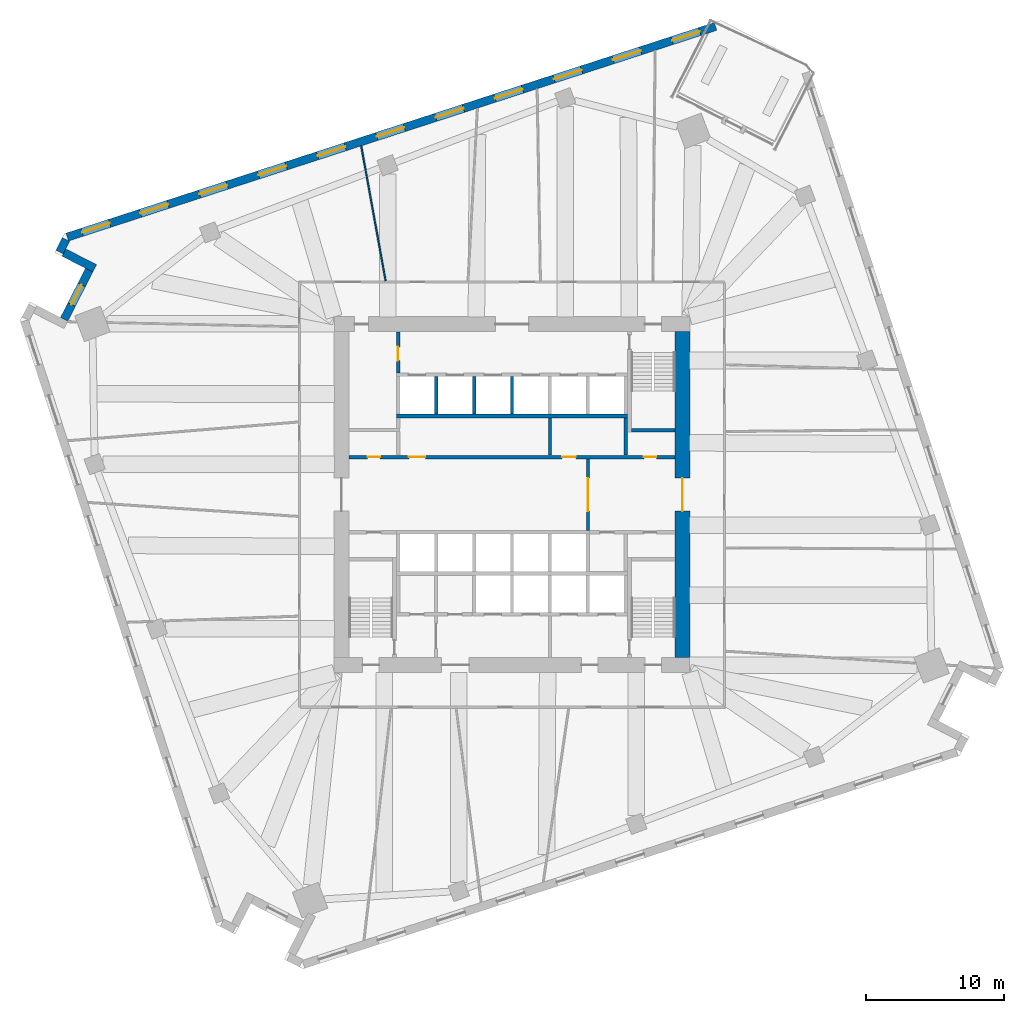
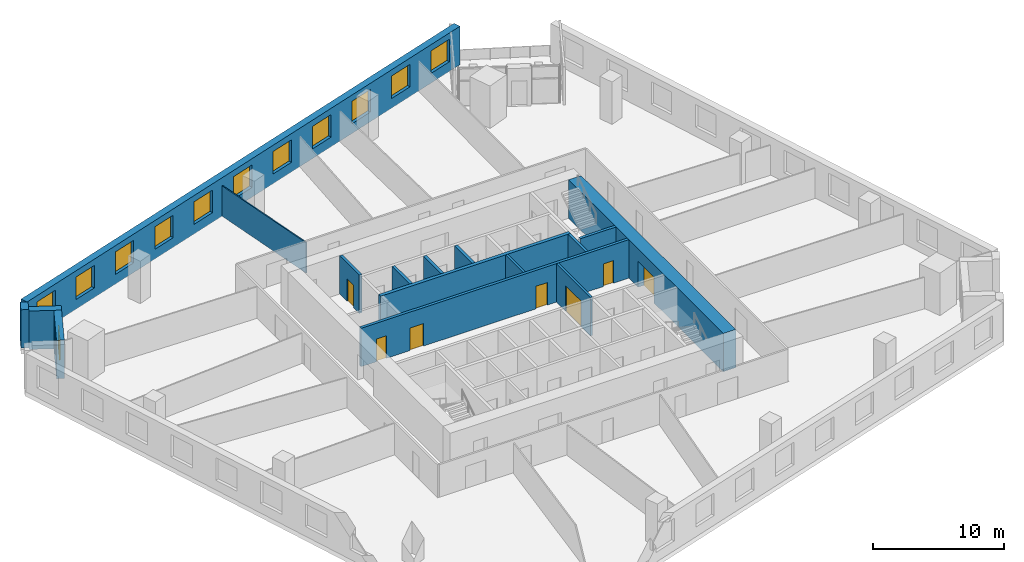
# One storey, part 8 of 12: 16 walls, 12 windows, 7 doors, 19 openings.
"""IFC4 building model written with IfcOpenShell, lengths in metres."""

from ifc_helpers import new_model, si_unit, direction, frame, frame_2d, origin, place, context, subcontext, project, spatial, rectangle, extrude, material, layer, layer_set, type_object, element, fill, save


model = new_model("IFC4")

# Units and contexts
model_context = context("Model", 3, precision=1e-05, world=origin(), true_north=direction((0.0, 1.0)))
body_context = subcontext(model_context, "Body", "Model", "MODEL_VIEW")
ifc_project = project(units=[si_unit("LENGTHUNIT", "METRE"), si_unit("AREAUNIT", "SQUARE_METRE"), si_unit("VOLUMEUNIT", "CUBIC_METRE"), si_unit("PLANEANGLEUNIT", "RADIAN"), si_unit("MASSUNIT", "GRAM", prefix="KILO")], contexts=[model_context])

# Site, building, storey
site_placement = place(None, origin())
site = spatial("IfcSite", under=ifc_project, at=site_placement, CompositionType="ELEMENT")
building_placement = place(site_placement, origin())
building = spatial("IfcBuilding", under=site, at=building_placement, Name="Dilmun Exchange Tower", CompositionType="ELEMENT")
storey_placement = place(building_placement, frame((0.0, 0.0, 98.10009765625)))
storey = spatial("IfcBuildingStorey", under=building, at=storey_placement, Name="L22", CompositionType="ELEMENT", Elevation=98.10009765625)

# Wall, opening, door
ifc_material_1 = material(Name="Concrete C40/50", Category="concrete")
ifc_layer_1 = layer(ifc_material_1, 0.199951171875)
ifc_layer_set_1 = layer_set([ifc_layer_1], Name="Concrete C40/50")
wall_type_1 = type_object("IfcWallType", Name="Core partition wall 200", PredefinedType="PARTITIONING", material=ifc_layer_set_1)
wall_1_placement = place(storey_placement, frame((5.5, -2.594970703125, 0.0), z_axis=(0.0, 0.0, 1.0), x_axis=(0.0, 1.0, 0.0)))
wall_1 = element("IfcWall", 1, at=wall_1_placement, inside=storey, type_object=wall_type_1, Name="L22 core partition wall 09", PredefinedType="PARTITIONING", context=body_context, shape_type="SweptSolid", body=[
    extrude(rectangle(XDim=5.18994140625, YDim=0.199951171875, at=frame_2d((2.594970703125, 0.0))), origin(), (0.0, 0.0, 1.0), 3.579833984375),
])
opening_1_placement = place(wall_1_placement, frame((1.39501953125, 0.0, 0.0)))
opening_1 = element("IfcOpeningElement", 2, at=opening_1_placement, cuts=wall_1, Name="Opening CD1", PredefinedType="OPENING", context=body_context, shape_type="SweptSolid", body=[
    extrude(rectangle(XDim=2.39990234375, YDim=2.39990234375, at=frame_2d((1.199951171875, 1.199951171875))), frame((0.0, 0.10986328125, 0.0), z_axis=(0.0, -1.0, 0.0), x_axis=(1.0, 0.0, 0.0)), (0.0, 0.0, 1.0), 0.219970703125),
])
ifc_material_2 = material(Name="Fire-rated steel door set", Category="steel")
door_type_1 = type_object("IfcDoorType", Name="Core lobby door 2400x2400", OperationType="DOUBLE_DOOR_DOUBLE_SWING", PredefinedType="DOOR", material=ifc_material_2)
door_1_placement = place(opening_1_placement, origin())
door_1 = element("IfcDoor", 3, at=door_1_placement, inside=storey, type_object=door_type_1, Name="L22 door Lift lobby east", OperationType="SINGLE_SWING_LEFT", OverallHeight=2.39990234375, OverallWidth=2.39990234375, PredefinedType="DOOR", context=body_context, shape_type="SweptSolid", body=[
    extrude(rectangle(XDim=2.39990234375, YDim=2.39990234375, at=frame_2d((1.199951171875, 1.199951171875))), frame((0.0, 0.02490234375, 0.0), z_axis=(0.0, -1.0, 0.0), x_axis=(1.0, 0.0, 0.0)), (0.0, 0.0, 1.0), 0.050048828125),
])
fill(opening_1, door_1)

# Wall
wall_2_placement = place(storey_placement, frame((2.75, 2.85498046875, 0.0), z_axis=(0.0, 0.0, 1.0), x_axis=(0.0, 1.0, 0.0)))
element("IfcWall", 4, at=wall_2_placement, inside=storey, type_object=wall_type_1, Name="L22 core partition wall 12", PredefinedType="PARTITIONING", context=body_context, shape_type="SweptSolid", body=[
    extrude(rectangle(XDim=2.68994140625, YDim=0.199951171875, at=frame_2d((1.344970703125, 0.0))), origin(), (0.0, 0.0, 1.0), 3.579833984375),
])

# Wall, openings, doors
ifc_layer_2 = layer(ifc_material_1, 0.25)
ifc_layer_set_2 = layer_set([ifc_layer_2], Name="Concrete C40/50")
wall_type_2 = type_object("IfcWallType", Name="Core partition wall 250", PredefinedType="PARTITIONING", material=ifc_layer_set_2)
wall_3_placement = place(storey_placement, frame((-11.794921875, 2.72509765625, 0.0), z_axis=(0.0, 0.0, 1.0), x_axis=(1.0, 0.0, 0.0)))
wall_3 = element("IfcWall", 5, at=wall_3_placement, inside=storey, type_object=wall_type_2, Name="L22 core partition wall 10", PredefinedType="PARTITIONING", context=body_context, shape_type="SweptSolid", body=[
    extrude(rectangle(XDim=23.58984375, YDim=0.25, at=frame_2d((11.794921875, 0.0))), origin(), (0.0, 0.0, 1.0), 3.579833984375),
])
opening_2_placement = place(wall_3_placement, frame((21.344970703125, 0.0, 0.0)))
opening_2 = element("IfcOpeningElement", 6, at=opening_2_placement, cuts=wall_3, Name="Opening CD6", PredefinedType="OPENING", context=body_context, shape_type="SweptSolid", body=[
    extrude(rectangle(XDim=0.89990234375, YDim=2.10009765625, at=frame_2d((0.449951171875, 1.050048828125))), frame((0.0, 0.135009765625, 0.0), z_axis=(0.0, -1.0, 0.0), x_axis=(1.0, 0.0, 0.0)), (0.0, 0.0, 1.0), 0.27001953125),
])
opening_3_placement = place(wall_3_placement, frame((1.344970703125, 0.0, 0.0)))
opening_3 = element("IfcOpeningElement", 7, at=opening_3_placement, cuts=wall_3, Name="Opening CD6", PredefinedType="OPENING", context=body_context, shape_type="SweptSolid", body=[
    extrude(rectangle(XDim=0.89990234375, YDim=2.10009765625, at=frame_2d((0.449951171875, 1.050048828125))), frame((0.0, 0.135009765625, 0.0), z_axis=(0.0, -1.0, 0.0), x_axis=(1.0, 0.0, 0.0)), (0.0, 0.0, 1.0), 0.27001953125),
])
opening_4_placement = place(wall_3_placement, frame((4.320068359375, 0.0, 0.0)))
opening_4 = element("IfcOpeningElement", 8, at=opening_4_placement, cuts=wall_3, Name="Opening CD3", PredefinedType="OPENING", context=body_context, shape_type="SweptSolid", body=[
    extrude(rectangle(XDim=1.199951171875, YDim=2.10009765625, at=frame_2d((0.60009765625, 1.050048828125))), frame((0.0, 0.135009765625, 0.0), z_axis=(0.0, -1.0, 0.0), x_axis=(1.0, 0.0, 0.0)), (0.0, 0.0, 1.0), 0.27001953125),
])
opening_5_placement = place(wall_3_placement, frame((15.419921875, 0.0, 0.0)))
opening_5 = element("IfcOpeningElement", 9, at=opening_5_placement, cuts=wall_3, Name="Opening CD4", PredefinedType="OPENING", context=body_context, shape_type="SweptSolid", body=[
    extrude(rectangle(XDim=1.0, YDim=2.10009765625, at=frame_2d((0.5, 1.050048828125))), frame((0.0, 0.135009765625, 0.0), z_axis=(0.0, -1.0, 0.0), x_axis=(1.0, 0.0, 0.0)), (0.0, 0.0, 1.0), 0.27001953125),
])
door_type_2 = type_object("IfcDoorType", Name="Core room door 1000x2100", OperationType="SINGLE_SWING_LEFT", PredefinedType="DOOR", material=ifc_material_2)
door_2_placement = place(opening_5_placement, origin())
door_2 = element("IfcDoor", 10, at=door_2_placement, inside=storey, type_object=door_type_2, Name="L22 door Mechanical room", OperationType="SINGLE_SWING_LEFT", OverallHeight=2.10009765625, OverallWidth=1.0, PredefinedType="DOOR", context=body_context, shape_type="SweptSolid", body=[
    extrude(rectangle(XDim=1.0, YDim=2.10009765625, at=frame_2d((0.5, 1.050048828125))), frame((0.0, 0.02490234375, 0.0), z_axis=(0.0, -1.0, 0.0), x_axis=(1.0, 0.0, 0.0)), (0.0, 0.0, 1.0), 0.050048828125),
])
fill(opening_5, door_2)
door_type_3 = type_object("IfcDoorType", Name="Core room door 900x2100", OperationType="SINGLE_SWING_LEFT", PredefinedType="DOOR", material=ifc_material_2)
door_3_placement = place(opening_2_placement, origin())
door_3 = element("IfcDoor", 11, at=door_3_placement, inside=storey, type_object=door_type_3, Name="L22 door Electrical riser", OperationType="SINGLE_SWING_LEFT", OverallHeight=2.10009765625, OverallWidth=0.89990234375, PredefinedType="DOOR", context=body_context, shape_type="SweptSolid", body=[
    extrude(rectangle(XDim=0.89990234375, YDim=2.10009765625, at=frame_2d((0.449951171875, 1.050048828125))), frame((0.0, 0.02490234375, 0.0), z_axis=(0.0, -1.0, 0.0), x_axis=(1.0, 0.0, 0.0)), (0.0, 0.0, 1.0), 0.050048828125),
])
fill(opening_2, door_3)
door_4_placement = place(opening_3_placement, origin())
door_4 = element("IfcDoor", 12, at=door_4_placement, inside=storey, type_object=door_type_3, Name="L22 door Plumbing riser", OperationType="SINGLE_SWING_LEFT", OverallHeight=2.10009765625, OverallWidth=0.89990234375, PredefinedType="DOOR", context=body_context, shape_type="SweptSolid", body=[
    extrude(rectangle(XDim=0.89990234375, YDim=2.10009765625, at=frame_2d((0.449951171875, 1.050048828125))), frame((0.0, 0.02490234375, 0.0), z_axis=(0.0, -1.0, 0.0), x_axis=(1.0, 0.0, 0.0)), (0.0, 0.0, 1.0), 0.050048828125),
])
fill(opening_3, door_4)
door_type_4 = type_object("IfcDoorType", Name="Stair exit door 1200x2100", OperationType="SINGLE_SWING_LEFT", PredefinedType="DOOR", material=ifc_material_2)
door_5_placement = place(opening_4_placement, origin())
door_5 = element("IfcDoor", 13, at=door_5_placement, inside=storey, type_object=door_type_4, Name="L22 door Quiet working room", OperationType="SINGLE_SWING_LEFT", OverallHeight=2.10009765625, OverallWidth=1.199951171875, PredefinedType="DOOR", context=body_context, shape_type="SweptSolid", body=[
    extrude(rectangle(XDim=1.199951171875, YDim=2.10009765625, at=frame_2d((0.60009765625, 1.050048828125))), frame((0.0, 0.02490234375, 0.0), z_axis=(0.0, -1.0, 0.0), x_axis=(1.0, 0.0, 0.0)), (0.0, 0.0, 1.0), 0.050048828125),
])
fill(opening_4, door_5)

# Wall
wall_4_placement = place(storey_placement, frame((8.25, 2.85498046875, 0.0), z_axis=(0.0, 0.0, 1.0), x_axis=(0.0, 1.0, 0.0)))
element("IfcWall", 14, at=wall_4_placement, inside=storey, type_object=wall_type_2, Name="L22 core partition wall 13", PredefinedType="PARTITIONING", context=body_context, shape_type="SweptSolid", body=[
    extrude(rectangle(XDim=2.68994140625, YDim=0.25, at=frame_2d((1.344970703125, 0.0))), origin(), (0.0, 0.0, 1.0), 3.579833984375),
])

# Wall, opening, door
wall_5_placement = place(storey_placement, frame((-8.25, 8.804931640625, 0.0), z_axis=(0.0, 0.0, 1.0), x_axis=(0.0, 1.0, 0.0)))
wall_5 = element("IfcWall", 15, at=wall_5_placement, inside=storey, type_object=wall_type_2, Name="L22 core partition wall 16", PredefinedType="PARTITIONING", context=body_context, shape_type="SweptSolid", body=[
    extrude(rectangle(XDim=2.989990234375, YDim=0.25, at=frame_2d((1.4951171875, 0.0))), origin(), (0.0, 0.0, 1.0), 3.579833984375),
])
opening_6_placement = place(wall_5_placement, frame((0.89501953125, 0.0, 0.0)))
opening_6 = element("IfcOpeningElement", 16, at=opening_6_placement, cuts=wall_5, Name="Opening CD4", PredefinedType="OPENING", context=body_context, shape_type="SweptSolid", body=[
    extrude(rectangle(XDim=1.0, YDim=2.10009765625, at=frame_2d((0.5, 1.050048828125))), frame((0.0, 0.135009765625, 0.0), z_axis=(0.0, -1.0, 0.0), x_axis=(1.0, 0.0, 0.0)), (0.0, 0.0, 1.0), 0.27001953125),
])
door_6_placement = place(opening_6_placement, origin())
door_6 = element("IfcDoor", 17, at=door_6_placement, inside=storey, type_object=door_type_2, Name="L22 door Facilities office", OperationType="SINGLE_SWING_LEFT", OverallHeight=2.10009765625, OverallWidth=1.0, PredefinedType="DOOR", context=body_context, shape_type="SweptSolid", body=[
    extrude(rectangle(XDim=1.0, YDim=2.10009765625, at=frame_2d((0.5, 1.050048828125))), frame((0.0, 0.02490234375, 0.0), z_axis=(0.0, -1.0, 0.0), x_axis=(1.0, 0.0, 0.0)), (0.0, 0.0, 1.0), 0.050048828125),
])
fill(opening_6, door_6)

ifc_material_3 = material(Name="Concrete C80/95", Category="concrete")
ifc_layer_3 = layer(ifc_material_3, 1.10009765625)
ifc_layer_set_3 = layer_set([ifc_layer_3], Name="Concrete C80/95")
wall_type_3 = type_object("IfcWallType", Name="Core shear wall 1100 Concrete C80/95", PredefinedType="SHEAR", material=ifc_layer_set_3)
wall_6_placement = place(storey_placement, frame((12.35009765625, -11.800048828125, 0.0), z_axis=(0.0, 0.0, 1.0), x_axis=(0.0, 1.0, 0.0)))
wall_6 = element("IfcWall", 18, at=wall_6_placement, inside=storey, type_object=wall_type_3, Name="L22 core shear wall E", PredefinedType="SHEAR", context=body_context, shape_type="SweptSolid", body=[
    extrude(rectangle(XDim=23.60009765625, YDim=1.10009765625, at=frame_2d((11.800048828125, 0.0))), origin(), (0.0, 0.0, 1.0), 3.579833984375),
])
opening_7_placement = place(wall_6_placement, frame((10.60009765625, 0.0, 0.0)))
opening_7 = element("IfcOpeningElement", 19, at=opening_7_placement, cuts=wall_6, Name="Opening CD1", PredefinedType="OPENING", context=body_context, shape_type="SweptSolid", body=[
    extrude(rectangle(XDim=2.39990234375, YDim=2.39990234375, at=frame_2d((1.199951171875, 1.199951171875))), frame((0.0, 0.56005859375, 0.0), z_axis=(0.0, -1.0, 0.0), x_axis=(1.0, 0.0, 0.0)), (0.0, 0.0, 1.0), 1.1201171875),
])
door_7_placement = place(opening_7_placement, origin())
door_7 = element("IfcDoor", 20, at=door_7_placement, inside=storey, type_object=door_type_1, Name="L22 door Central lift lobby", OperationType="SINGLE_SWING_LEFT", OverallHeight=2.39990234375, OverallWidth=2.39990234375, PredefinedType="DOOR", context=body_context, shape_type="SweptSolid", body=[
    extrude(rectangle(XDim=2.39990234375, YDim=2.39990234375, at=frame_2d((1.199951171875, 1.199951171875))), frame((0.0, 0.02490234375, 0.0), z_axis=(0.0, -1.0, 0.0), x_axis=(1.0, 0.0, 0.0)), (0.0, 0.0, 1.0), 0.050048828125),
])
fill(opening_7, door_7)

# Walls
ifc_layer_4 = layer(ifc_material_1, 0.300048828125)
ifc_layer_set_4 = layer_set([ifc_layer_4], Name="Concrete C40/50")
wall_type_4 = type_object("IfcWallType", Name="Lift shaft shared wall 300", PredefinedType="SOLIDWALL", material=ifc_layer_set_4)
wall_7_placement = place(storey_placement, frame((-8.375, 5.699951171875, 0.0), z_axis=(0.0, 0.0, 1.0), x_axis=(1.0, 0.0, 0.0)))
element("IfcWall", 21, at=wall_7_placement, inside=storey, type_object=wall_type_4, Name="L22 lift shaft rear wall N", PredefinedType="SOLIDWALL", context=body_context, shape_type="SweptSolid", body=[
    extrude(rectangle(XDim=16.75, YDim=0.300048828125, at=frame_2d((8.375, 0.0))), origin(), (0.0, 0.0, 1.0), 3.579833984375),
])
ifc_layer_5 = layer(ifc_material_1, 0.25)
ifc_layer_set_5 = layer_set([ifc_layer_5], Name="Concrete C40/50")
wall_type_5 = type_object("IfcWallType", Name="Lift shaft wall 250", PredefinedType="SOLIDWALL", material=ifc_layer_set_5)
for number, where, z_axis, x_axis, name in (
    (22, (-5.5, 5.85009765625, 0.0), (0.0, 0.0, 1.0), (0.0, 1.0, 0.0), "L22 lift shaft divider N21"),
    (23, (-2.75, 5.85009765625, 0.0), (0.0, 0.0, 1.0), (0.0, 1.0, 0.0), "L22 lift shaft divider N22"),
    (24, (0.0, 5.85009765625, 0.0), (0.0, 0.0, 1.0), (0.0, 1.0, 0.0), "L22 lift shaft divider N23"),
):
    element("IfcWall", number, at=place(storey_placement, frame(where, z_axis=z_axis, x_axis=x_axis)), inside=storey, type_object=wall_type_5, Name=name, PredefinedType="SOLIDWALL", context=body_context, shape_type="SweptSolid", body=[
        extrude(rectangle(XDim=2.699951171875, YDim=0.25, at=frame_2d((1.35009765625, 0.0))), origin(), (0.0, 0.0, 1.0), 3.579833984375),
    ])
ifc_material_4 = material(Name="Partition 100")
ifc_layer_6 = layer(ifc_material_4, 0.10009765625)
ifc_layer_set_6 = layer_set([ifc_layer_6], Name="Partition 100")
wall_type_6 = type_object("IfcWallType", Name="Partition 100", PredefinedType="PARTITIONING", material=ifc_layer_set_6)
wall_8_placement = place(storey_placement, frame((-10.923583984375, 25.258544921875, 0.0), z_axis=(0.0, 0.0, 1.0), x_axis=(0.178208444623, -0.983992759254, 0.0)))
element("IfcWall", 25, at=wall_8_placement, inside=storey, type_object=wall_type_6, Name="Partition", PredefinedType="PARTITIONING", context=body_context, shape_type="SweptSolid", body=[
    extrude(rectangle(XDim=9.93359375, YDim=0.10009765625, at=frame_2d((4.966796875, 0.0))), origin(), (0.0, 0.0, 1.0), 2.829833984375),
])

# Wall, openings, windows
ifc_material_5 = material(Name="Precast concrete C50/60", Category="concrete")
ifc_layer_7 = layer(ifc_material_5, 0.60009765625)
ifc_layer_set_7 = layer_set([ifc_layer_7], Name="Precast concrete C50/60")
wall_type_7 = type_object("IfcWallType", Name="Precast stone-clad wall 600", PredefinedType="STANDARD", material=ifc_layer_set_7)
wall_9_placement = place(storey_placement, frame((14.7412109375, 33.915283203125, 0.0), z_axis=(0.0, 0.0, 1.0), x_axis=(-0.951056049788, -0.309018430131, 0.0)))
wall_9 = element("IfcWall", 26, at=wall_9_placement, inside=storey, type_object=wall_type_7, Name="Facade wall L22-03", PredefinedType="STANDARD", context=body_context, shape_type="SweptSolid", body=[
    extrude(rectangle(XDim=49.3759765625, YDim=0.60009765625, at=frame_2d((24.68798828125, 0.0))), origin(), (0.0, 0.0, 1.0), 3.579833984375),
])
opening_8_placement = place(wall_9_placement, frame((1.199951171875, 0.0, 0.89990234375)))
opening_8 = element("IfcOpeningElement", 27, at=opening_8_placement, cuts=wall_9, Name="Opening W210-210", PredefinedType="OPENING", context=body_context, shape_type="SweptSolid", body=[
    extrude(rectangle(XDim=2.10009765625, YDim=2.10009765625, at=frame_2d((1.050048828125, 1.050048828125))), frame((0.0, 0.31005859375, 0.0), z_axis=(0.0, -1.0, 0.0), x_axis=(1.0, 0.0, 0.0)), (0.0, 0.0, 1.0), 0.6201171875),
])
opening_9_placement = place(wall_9_placement, frame((5.699951171875, 0.0, 0.89990234375)))
opening_9 = element("IfcOpeningElement", 28, at=opening_9_placement, cuts=wall_9, Name="Opening W210-210", PredefinedType="OPENING", context=body_context, shape_type="SweptSolid", body=[
    extrude(rectangle(XDim=2.10009765625, YDim=2.10009765625, at=frame_2d((1.050048828125, 1.050048828125))), frame((0.0, 0.31005859375, 0.0), z_axis=(0.0, -1.0, 0.0), x_axis=(1.0, 0.0, 0.0)), (0.0, 0.0, 1.0), 0.6201171875),
])
opening_10_placement = place(wall_9_placement, frame((10.199951171875, 0.0, 0.89990234375)))
opening_10 = element("IfcOpeningElement", 29, at=opening_10_placement, cuts=wall_9, Name="Opening W210-210", PredefinedType="OPENING", context=body_context, shape_type="SweptSolid", body=[
    extrude(rectangle(XDim=2.10009765625, YDim=2.10009765625, at=frame_2d((1.050048828125, 1.050048828125))), frame((0.0, 0.31005859375, 0.0), z_axis=(0.0, -1.0, 0.0), x_axis=(1.0, 0.0, 0.0)), (0.0, 0.0, 1.0), 0.6201171875),
])
opening_11_placement = place(wall_9_placement, frame((14.699951171875, 0.0, 0.89990234375)))
opening_11 = element("IfcOpeningElement", 30, at=opening_11_placement, cuts=wall_9, Name="Opening W210-210", PredefinedType="OPENING", context=body_context, shape_type="SweptSolid", body=[
    extrude(rectangle(XDim=2.10009765625, YDim=2.10009765625, at=frame_2d((1.050048828125, 1.050048828125))), frame((0.0, 0.31005859375, 0.0), z_axis=(0.0, -1.0, 0.0), x_axis=(1.0, 0.0, 0.0)), (0.0, 0.0, 1.0), 0.6201171875),
])
opening_12_placement = place(wall_9_placement, frame((19.199951171875, 0.0, 0.89990234375)))
opening_12 = element("IfcOpeningElement", 31, at=opening_12_placement, cuts=wall_9, Name="Opening W210-210", PredefinedType="OPENING", context=body_context, shape_type="SweptSolid", body=[
    extrude(rectangle(XDim=2.10009765625, YDim=2.10009765625, at=frame_2d((1.050048828125, 1.050048828125))), frame((0.0, 0.31005859375, 0.0), z_axis=(0.0, -1.0, 0.0), x_axis=(1.0, 0.0, 0.0)), (0.0, 0.0, 1.0), 0.6201171875),
])
opening_13_placement = place(wall_9_placement, frame((23.699951171875, 0.0, 0.89990234375)))
opening_13 = element("IfcOpeningElement", 32, at=opening_13_placement, cuts=wall_9, Name="Opening W210-210", PredefinedType="OPENING", context=body_context, shape_type="SweptSolid", body=[
    extrude(rectangle(XDim=2.10009765625, YDim=2.10009765625, at=frame_2d((1.050048828125, 1.050048828125))), frame((0.0, 0.31005859375, 0.0), z_axis=(0.0, -1.0, 0.0), x_axis=(1.0, 0.0, 0.0)), (0.0, 0.0, 1.0), 0.6201171875),
])
opening_14_placement = place(wall_9_placement, frame((28.199951171875, 0.0, 0.89990234375)))
opening_14 = element("IfcOpeningElement", 33, at=opening_14_placement, cuts=wall_9, Name="Opening W210-210", PredefinedType="OPENING", context=body_context, shape_type="SweptSolid", body=[
    extrude(rectangle(XDim=2.10009765625, YDim=2.10009765625, at=frame_2d((1.050048828125, 1.050048828125))), frame((0.0, 0.31005859375, 0.0), z_axis=(0.0, -1.0, 0.0), x_axis=(1.0, 0.0, 0.0)), (0.0, 0.0, 1.0), 0.6201171875),
])
opening_15_placement = place(wall_9_placement, frame((32.699951171875, 0.0, 0.89990234375)))
opening_15 = element("IfcOpeningElement", 34, at=opening_15_placement, cuts=wall_9, Name="Opening W210-210", PredefinedType="OPENING", context=body_context, shape_type="SweptSolid", body=[
    extrude(rectangle(XDim=2.10009765625, YDim=2.10009765625, at=frame_2d((1.050048828125, 1.050048828125))), frame((0.0, 0.31005859375, 0.0), z_axis=(0.0, -1.0, 0.0), x_axis=(1.0, 0.0, 0.0)), (0.0, 0.0, 1.0), 0.6201171875),
])
opening_16_placement = place(wall_9_placement, frame((37.199951171875, 0.0, 0.89990234375)))
opening_16 = element("IfcOpeningElement", 35, at=opening_16_placement, cuts=wall_9, Name="Opening W210-210", PredefinedType="OPENING", context=body_context, shape_type="SweptSolid", body=[
    extrude(rectangle(XDim=2.10009765625, YDim=2.10009765625, at=frame_2d((1.050048828125, 1.050048828125))), frame((0.0, 0.31005859375, 0.0), z_axis=(0.0, -1.0, 0.0), x_axis=(1.0, 0.0, 0.0)), (0.0, 0.0, 1.0), 0.6201171875),
])
opening_17_placement = place(wall_9_placement, frame((41.699951171875, 0.0, 0.89990234375)))
opening_17 = element("IfcOpeningElement", 36, at=opening_17_placement, cuts=wall_9, Name="Opening W210-210", PredefinedType="OPENING", context=body_context, shape_type="SweptSolid", body=[
    extrude(rectangle(XDim=2.10009765625, YDim=2.10009765625, at=frame_2d((1.050048828125, 1.050048828125))), frame((0.0, 0.31005859375, 0.0), z_axis=(0.0, -1.0, 0.0), x_axis=(1.0, 0.0, 0.0)), (0.0, 0.0, 1.0), 0.6201171875),
])
opening_18_placement = place(wall_9_placement, frame((46.137939453125, 0.0, 0.89990234375)))
opening_18 = element("IfcOpeningElement", 37, at=opening_18_placement, cuts=wall_9, Name="Opening W210-210", PredefinedType="OPENING", context=body_context, shape_type="SweptSolid", body=[
    extrude(rectangle(XDim=2.10009765625, YDim=2.10009765625, at=frame_2d((1.050048828125, 1.050048828125))), frame((0.0, 0.31005859375, 0.0), z_axis=(0.0, -1.0, 0.0), x_axis=(1.0, 0.0, 0.0)), (0.0, 0.0, 1.0), 0.6201171875),
])
ifc_material_6 = material(Name="Clear low-emissivity glass in aluminium frame", Category="aluminium")
window_type_1 = type_object("IfcWindowType", Name="Punched window 2100 x 2100", PartitioningType="DOUBLE_PANEL_VERTICAL", PredefinedType="WINDOW", material=ifc_material_6)
window_1_placement = place(opening_8_placement, origin())
window_1 = element("IfcWindow", 38, at=window_1_placement, inside=storey, type_object=window_type_1, Name="Window 4.1", OverallHeight=2.10009765625, OverallWidth=2.10009765625, PartitioningType="SINGLE_PANEL", PredefinedType="WINDOW", context=body_context, shape_type="SweptSolid", body=[
    extrude(rectangle(XDim=2.10009765625, YDim=2.10009765625, at=frame_2d((1.050048828125, 1.050048828125))), frame((0.0, 0.030029296875, 0.0), z_axis=(0.0, -1.0, 0.0), x_axis=(1.0, 0.0, 0.0)), (0.0, 0.0, 1.0), 0.06005859375),
])
fill(opening_8, window_1)
window_2_placement = place(opening_9_placement, origin())
window_2 = element("IfcWindow", 39, at=window_2_placement, inside=storey, type_object=window_type_1, Name="Window 4.2", OverallHeight=2.10009765625, OverallWidth=2.10009765625, PartitioningType="SINGLE_PANEL", PredefinedType="WINDOW", context=body_context, shape_type="SweptSolid", body=[
    extrude(rectangle(XDim=2.10009765625, YDim=2.10009765625, at=frame_2d((1.050048828125, 1.050048828125))), frame((0.0, 0.030029296875, 0.0), z_axis=(0.0, -1.0, 0.0), x_axis=(1.0, 0.0, 0.0)), (0.0, 0.0, 1.0), 0.06005859375),
])
fill(opening_9, window_2)
window_3_placement = place(opening_10_placement, origin())
window_3 = element("IfcWindow", 40, at=window_3_placement, inside=storey, type_object=window_type_1, Name="Window 4.3", OverallHeight=2.10009765625, OverallWidth=2.10009765625, PartitioningType="SINGLE_PANEL", PredefinedType="WINDOW", context=body_context, shape_type="SweptSolid", body=[
    extrude(rectangle(XDim=2.10009765625, YDim=2.10009765625, at=frame_2d((1.050048828125, 1.050048828125))), frame((0.0, 0.030029296875, 0.0), z_axis=(0.0, -1.0, 0.0), x_axis=(1.0, 0.0, 0.0)), (0.0, 0.0, 1.0), 0.06005859375),
])
fill(opening_10, window_3)
window_4_placement = place(opening_11_placement, origin())
window_4 = element("IfcWindow", 41, at=window_4_placement, inside=storey, type_object=window_type_1, Name="Window 4.4", OverallHeight=2.10009765625, OverallWidth=2.10009765625, PartitioningType="SINGLE_PANEL", PredefinedType="WINDOW", context=body_context, shape_type="SweptSolid", body=[
    extrude(rectangle(XDim=2.10009765625, YDim=2.10009765625, at=frame_2d((1.050048828125, 1.050048828125))), frame((0.0, 0.030029296875, 0.0), z_axis=(0.0, -1.0, 0.0), x_axis=(1.0, 0.0, 0.0)), (0.0, 0.0, 1.0), 0.06005859375),
])
fill(opening_11, window_4)
window_5_placement = place(opening_12_placement, origin())
window_5 = element("IfcWindow", 42, at=window_5_placement, inside=storey, type_object=window_type_1, Name="Window 4.5", OverallHeight=2.10009765625, OverallWidth=2.10009765625, PartitioningType="SINGLE_PANEL", PredefinedType="WINDOW", context=body_context, shape_type="SweptSolid", body=[
    extrude(rectangle(XDim=2.10009765625, YDim=2.10009765625, at=frame_2d((1.050048828125, 1.050048828125))), frame((0.0, 0.030029296875, 0.0), z_axis=(0.0, -1.0, 0.0), x_axis=(1.0, 0.0, 0.0)), (0.0, 0.0, 1.0), 0.06005859375),
])
fill(opening_12, window_5)
window_6_placement = place(opening_13_placement, origin())
window_6 = element("IfcWindow", 43, at=window_6_placement, inside=storey, type_object=window_type_1, Name="Window 4.6", OverallHeight=2.10009765625, OverallWidth=2.10009765625, PartitioningType="SINGLE_PANEL", PredefinedType="WINDOW", context=body_context, shape_type="SweptSolid", body=[
    extrude(rectangle(XDim=2.10009765625, YDim=2.10009765625, at=frame_2d((1.050048828125, 1.050048828125))), frame((0.0, 0.030029296875, 0.0), z_axis=(0.0, -1.0, 0.0), x_axis=(1.0, 0.0, 0.0)), (0.0, 0.0, 1.0), 0.06005859375),
])
fill(opening_13, window_6)
window_7_placement = place(opening_14_placement, origin())
window_7 = element("IfcWindow", 44, at=window_7_placement, inside=storey, type_object=window_type_1, Name="Window 4.7", OverallHeight=2.10009765625, OverallWidth=2.10009765625, PartitioningType="SINGLE_PANEL", PredefinedType="WINDOW", context=body_context, shape_type="SweptSolid", body=[
    extrude(rectangle(XDim=2.10009765625, YDim=2.10009765625, at=frame_2d((1.050048828125, 1.050048828125))), frame((0.0, 0.030029296875, 0.0), z_axis=(0.0, -1.0, 0.0), x_axis=(1.0, 0.0, 0.0)), (0.0, 0.0, 1.0), 0.06005859375),
])
fill(opening_14, window_7)
window_8_placement = place(opening_15_placement, origin())
window_8 = element("IfcWindow", 45, at=window_8_placement, inside=storey, type_object=window_type_1, Name="Window 4.8", OverallHeight=2.10009765625, OverallWidth=2.10009765625, PartitioningType="SINGLE_PANEL", PredefinedType="WINDOW", context=body_context, shape_type="SweptSolid", body=[
    extrude(rectangle(XDim=2.10009765625, YDim=2.10009765625, at=frame_2d((1.050048828125, 1.050048828125))), frame((0.0, 0.030029296875, 0.0), z_axis=(0.0, -1.0, 0.0), x_axis=(1.0, 0.0, 0.0)), (0.0, 0.0, 1.0), 0.06005859375),
])
fill(opening_15, window_8)
window_9_placement = place(opening_16_placement, origin())
window_9 = element("IfcWindow", 46, at=window_9_placement, inside=storey, type_object=window_type_1, Name="Window 4.9", OverallHeight=2.10009765625, OverallWidth=2.10009765625, PartitioningType="SINGLE_PANEL", PredefinedType="WINDOW", context=body_context, shape_type="SweptSolid", body=[
    extrude(rectangle(XDim=2.10009765625, YDim=2.10009765625, at=frame_2d((1.050048828125, 1.050048828125))), frame((0.0, 0.030029296875, 0.0), z_axis=(0.0, -1.0, 0.0), x_axis=(1.0, 0.0, 0.0)), (0.0, 0.0, 1.0), 0.06005859375),
])
fill(opening_16, window_9)
window_10_placement = place(opening_17_placement, origin())
window_10 = element("IfcWindow", 47, at=window_10_placement, inside=storey, type_object=window_type_1, Name="Window 4.10", OverallHeight=2.10009765625, OverallWidth=2.10009765625, PartitioningType="SINGLE_PANEL", PredefinedType="WINDOW", context=body_context, shape_type="SweptSolid", body=[
    extrude(rectangle(XDim=2.10009765625, YDim=2.10009765625, at=frame_2d((1.050048828125, 1.050048828125))), frame((0.0, 0.030029296875, 0.0), z_axis=(0.0, -1.0, 0.0), x_axis=(1.0, 0.0, 0.0)), (0.0, 0.0, 1.0), 0.06005859375),
])
fill(opening_17, window_10)
window_11_placement = place(opening_18_placement, origin())
window_11 = element("IfcWindow", 48, at=window_11_placement, inside=storey, type_object=window_type_1, Name="Window 4.11", OverallHeight=2.10009765625, OverallWidth=2.10009765625, PartitioningType="SINGLE_PANEL", PredefinedType="WINDOW", context=body_context, shape_type="SweptSolid", body=[
    extrude(rectangle(XDim=2.10009765625, YDim=2.10009765625, at=frame_2d((1.050048828125, 1.050048828125))), frame((0.0, 0.030029296875, 0.0), z_axis=(0.0, -1.0, 0.0), x_axis=(1.0, 0.0, 0.0)), (0.0, 0.0, 1.0), 0.06005859375),
])
fill(opening_18, window_11)

# Walls
wall_10_placement = place(storey_placement, frame((-32.308837890625, 18.47900390625, 0.0), z_axis=(0.0, 0.0, 1.0), x_axis=(-0.453864300157, -0.89107081483, 0.0)))
element("IfcWall", 49, at=wall_10_placement, inside=storey, type_object=wall_type_7, Name="Facade wall L22-04", PredefinedType="STANDARD", context=body_context, shape_type="SweptSolid", body=[
    extrude(rectangle(XDim=1.01123046875, YDim=0.60009765625, at=frame_2d((0.505615234375, 0.0))), origin(), (0.0, 0.0, 1.0), 3.579833984375),
])
wall_11_placement = place(storey_placement, frame((-32.455078125, 17.531005859375, 0.0), z_axis=(0.0, 0.0, 1.0), x_axis=(0.890982846276, -0.454036967263, 0.0)))
element("IfcWall", 50, at=wall_11_placement, inside=storey, type_object=wall_type_7, Name="Facade wall L22-05", PredefinedType="STANDARD", context=body_context, shape_type="SweptSolid", body=[
    extrude(rectangle(XDim=2.499755859375, YDim=0.60009765625, at=frame_2d((1.25, 0.0))), origin(), (0.0, 0.0, 1.0), 3.579833984375),
])

# Wall, opening, window
wall_12_placement = place(storey_placement, frame((-30.631103515625, 16.264892578125, 0.0), z_axis=(0.0, 0.0, 1.0), x_axis=(-0.454011719911, -0.890995711653, 0.0)))
wall_12 = element("IfcWall", 51, at=wall_12_placement, inside=storey, type_object=wall_type_7, Name="Facade wall L22-06", PredefinedType="STANDARD", context=body_context, shape_type="SweptSolid", body=[
    extrude(rectangle(XDim=4.000244140625, YDim=0.60009765625, at=frame_2d((2.0, 0.0))), origin(), (0.0, 0.0, 1.0), 3.579833984375),
])
opening_19_placement = place(wall_12_placement, frame((1.199951171875, 0.0, 0.89990234375)))
opening_19 = element("IfcOpeningElement", 52, at=opening_19_placement, cuts=wall_12, Name="Opening W160-210", PredefinedType="OPENING", context=body_context, shape_type="SweptSolid", body=[
    extrude(rectangle(XDim=1.60009765625, YDim=2.10009765625, at=frame_2d((0.800048828125, 1.050048828125))), frame((0.0, 0.31005859375, 0.0), z_axis=(0.0, -1.0, 0.0), x_axis=(1.0, 0.0, 0.0)), (0.0, 0.0, 1.0), 0.6201171875),
])
window_type_2 = type_object("IfcWindowType", Name="Punched window 1600 x 2100", PartitioningType="DOUBLE_PANEL_VERTICAL", PredefinedType="WINDOW", material=ifc_material_6)
window_12_placement = place(opening_19_placement, origin())
window_12 = element("IfcWindow", 53, at=window_12_placement, inside=storey, type_object=window_type_2, Name="Window 7.1", OverallHeight=2.10009765625, OverallWidth=1.60009765625, PartitioningType="SINGLE_PANEL", PredefinedType="WINDOW", context=body_context, shape_type="SweptSolid", body=[
    extrude(rectangle(XDim=1.60009765625, YDim=2.10009765625, at=frame_2d((0.800048828125, 1.050048828125))), frame((0.0, 0.030029296875, 0.0), z_axis=(0.0, -1.0, 0.0), x_axis=(1.0, 0.0, 0.0)), (0.0, 0.0, 1.0), 0.06005859375),
])
fill(opening_19, window_12)

# Wall
ifc_layer_8 = layer(ifc_material_1, 0.25)
ifc_layer_set_8 = layer_set([ifc_layer_8], Name="Concrete C40/50")
wall_type_8 = type_object("IfcWallType", Name="Stair end wall 250", PredefinedType="SOLIDWALL", material=ifc_layer_set_8)
wall_13_placement = place(storey_placement, frame((8.64990234375, 4.675048828125, 0.0), z_axis=(0.0, 0.0, 1.0), x_axis=(1.0, 0.0, 0.0)))
element("IfcWall", 54, at=wall_13_placement, inside=storey, type_object=wall_type_8, Name="L22 ST1 far wall", PredefinedType="SOLIDWALL", context=body_context, shape_type="SweptSolid", body=[
    extrude(rectangle(XDim=3.150146484375, YDim=0.25, at=frame_2d((1.5751953125, 0.0))), origin(), (0.0, 0.0, 1.0), 3.579833984375),
])

save(model, "model.ifc")
